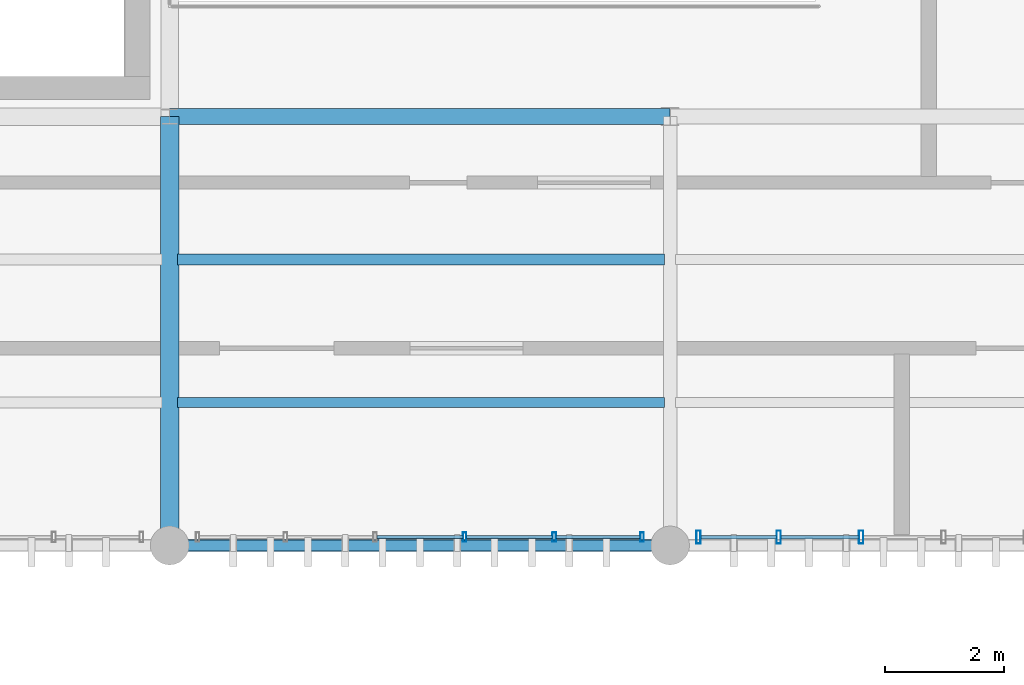
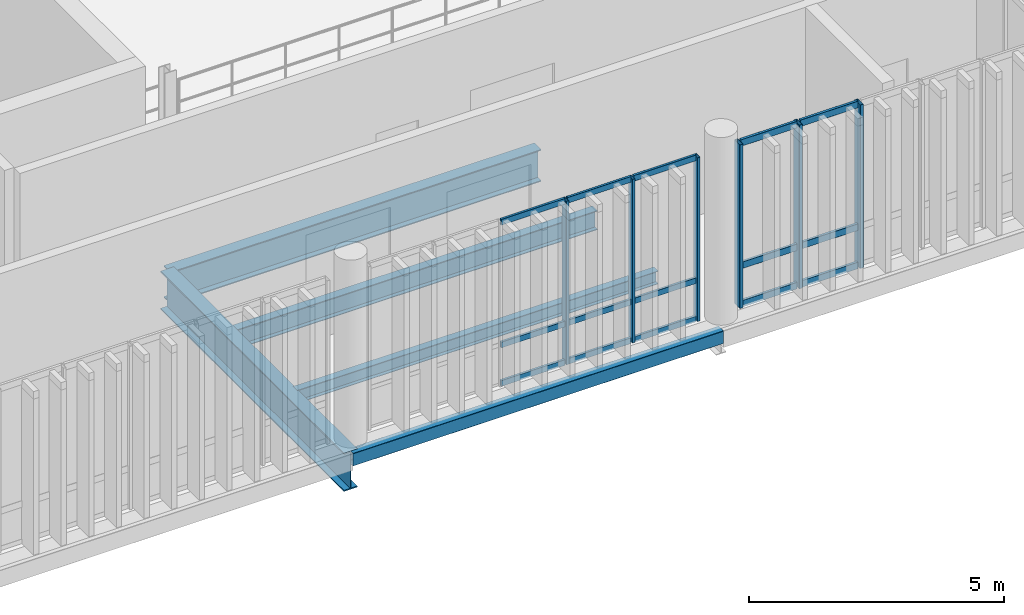
# One storey, part 25 of 66: 21 members, 5 beams, 2 elements without a shape of their own.
"""IFC4 building model written with IfcOpenShell, lengths in metres."""

from ifc_helpers import new_model, si_unit, direction, frame, origin_with_axes, origin_2d_with_axis, place, context, subcontext, project, spatial, hollow_rectangle, i_section, extrude, material, material_profile, profile_set, type_object, element, aggregate, save


model = new_model("IFC4")

# Units and contexts
model_context = context("Model", 3, precision=1e-05, world=origin_with_axes(), true_north=direction((0.0, 1.0)))
body_context = subcontext(model_context, "Body", "Model", "MODEL_VIEW")
ifc_project = project(units=[si_unit("LENGTHUNIT", "METRE"), si_unit("AREAUNIT", "SQUARE_METRE"), si_unit("VOLUMEUNIT", "CUBIC_METRE"), si_unit("PLANEANGLEUNIT", "RADIAN"), si_unit("MASSUNIT", "GRAM", prefix="KILO"), si_unit("THERMODYNAMICTEMPERATUREUNIT", "KELVIN")], contexts=[model_context])

# Site, building, storey
site_placement = place(None, origin_with_axes())
site = spatial("IfcSite", under=ifc_project, at=site_placement, CompositionType="ELEMENT")
building_placement = place(site_placement, origin_with_axes())
building = spatial("IfcBuilding", under=site, at=building_placement, Name="Montbau Bow Law Courts", CompositionType="ELEMENT")
storey_placement = place(building_placement, frame((0.0, 0.0, 34.5), z_axis=(0.0, 0.0, 1.0), x_axis=(1.0, 0.0, 0.0)))
storey = spatial("IfcBuildingStorey", under=building, at=storey_placement, Name="L07", CompositionType="ELEMENT", Elevation=34.5)

# Beams
ifc_material_1 = material(Name="Steel CSA G40.21 Grade 350W (350 MPa)", Category="steel")
ifc_material_profile_1 = material_profile(ifc_material_1, i_section(OverallWidth=0.306, OverallDepth=0.919, WebThickness=0.0173, FlangeThickness=0.0279, at=origin_2d_with_axis()), Name="W920X253", Category="Main", Priority=0)
ifc_profile_set_1 = profile_set([ifc_material_profile_1], Name="Steel CSA G40.21 Grade 350W (350 MPa)")
beam_type_1 = type_object("IfcBeamType", Name="B-FLR-01", PredefinedType="BEAM", material=ifc_profile_set_1)
beam_1_placement = place(None, frame((88.8, 39.0, 33.741), z_axis=(0.0, 1.0, 0.0), x_axis=(-1.0, 0.0, 0.0)))
element("IfcBeam", 1, at=beam_1_placement, inside=storey, type_object=beam_type_1, Name="BM-L07-S1053:bm2_1056", PredefinedType="BEAM", context=body_context, shape_type="SweptSolid", body=[
    extrude(i_section(OverallWidth=0.306, OverallDepth=0.919, WebThickness=0.0173, FlangeThickness=0.0279, at=origin_2d_with_axis()), origin_with_axes(), (0.0, 0.0, 1.0), 7.2),
])
ifc_material_profile_2 = material_profile(ifc_material_1, i_section(OverallWidth=0.267, OverallDepth=0.766, WebThickness=0.0149, FlangeThickness=0.0236, at=origin_2d_with_axis()), Name="W760X185", Category="Main", Priority=0)
ifc_profile_set_2 = profile_set([ifc_material_profile_2], Name="Steel CSA G40.21 Grade 350W (350 MPa)")
beam_type_2 = type_object("IfcBeamType", Name="B-FLR-03", PredefinedType="BEAM", material=ifc_profile_set_2)
beam_2_placement = place(None, frame((88.8, 46.2, 33.817), z_axis=(1.0, 0.0, 0.0), x_axis=(0.0, 1.0, 0.0)))
element("IfcBeam", 2, at=beam_2_placement, inside=storey, type_object=beam_type_2, Name="BM-L07-S1028:bm2_1031", PredefinedType="BEAM", context=body_context, shape_type="SweptSolid", body=[
    extrude(i_section(OverallWidth=0.267, OverallDepth=0.766, WebThickness=0.0149, FlangeThickness=0.0236, at=origin_2d_with_axis()), origin_with_axes(), (0.0, 0.0, 1.0), 8.4),
])
ifc_material_profile_3 = material_profile(ifc_material_1, i_section(OverallWidth=0.191, OverallDepth=0.46, WebThickness=0.0099, FlangeThickness=0.016, at=origin_2d_with_axis()), Name="W460X82", Category="Main", Priority=0)
ifc_profile_set_3 = profile_set([ifc_material_profile_3], Name="Steel CSA G40.21 Grade 350W (350 MPa)")
beam_type_3 = type_object("IfcBeamType", Name="B-JST-01", PredefinedType="JOIST", material=ifc_profile_set_3)
beam_3_placement = place(None, frame((88.929, 43.8, 33.97), z_axis=(1.0, 0.0, 0.0), x_axis=(0.0, 1.0, 0.0)))
element("IfcBeam", 3, at=beam_3_placement, inside=storey, type_object=beam_type_3, Name="JST-L07-S0540:jst2_0540", PredefinedType="JOIST", context=body_context, shape_type="SweptSolid", body=[
    extrude(i_section(OverallWidth=0.191, OverallDepth=0.46, WebThickness=0.0099, FlangeThickness=0.016, at=origin_2d_with_axis()), origin_with_axes(), (0.0, 0.0, 1.0), 8.18),
])
ifc_material_profile_4 = material_profile(ifc_material_1, i_section(OverallWidth=0.166, OverallDepth=0.313, WebThickness=0.0066, FlangeThickness=0.0112, at=origin_2d_with_axis()), Name="W310X45", Category="Main", Priority=0)
ifc_profile_set_4 = profile_set([ifc_material_profile_4], Name="Steel CSA G40.21 Grade 350W (350 MPa)")
beam_type_4 = type_object("IfcBeamType", Name="B-JST-04", PredefinedType="JOIST", material=ifc_profile_set_4)
beam_4_placement = place(None, frame((88.929, 41.4, 34.044), z_axis=(1.0, 0.0, 0.0), x_axis=(0.0, 1.0, 0.0)))
element("IfcBeam", 4, at=beam_4_placement, inside=storey, type_object=beam_type_4, Name="JST-L07-S0539:jst2_0539", PredefinedType="JOIST", context=body_context, shape_type="SweptSolid", body=[
    extrude(i_section(OverallWidth=0.166, OverallDepth=0.313, WebThickness=0.0066, FlangeThickness=0.0112, at=origin_2d_with_axis()), origin_with_axes(), (0.0, 0.0, 1.0), 8.18),
])
ifc_material_2 = material(Name="Steel CSA G40.21 Grade 350WT (350 MPa)", Category="steel")
ifc_material_profile_5 = material_profile(ifc_material_2, hollow_rectangle(XDim=0.203, YDim=0.305, WallThickness=0.0127, InnerFilletRadius=0.0254, OuterFilletRadius=0.0127, at=origin_2d_with_axis()), Name="HSS305X203X13", Category="Main", Priority=0)
ifc_profile_set_5 = profile_set([ifc_material_profile_5], Name="Steel CSA G40.21 Grade 350WT (350 MPa)")
beam_type_5 = type_object("IfcBeamType", Name="B-SPN-02", PredefinedType="SPANDREL", material=ifc_profile_set_5)
beam_5_placement = place(None, frame((88.8, 39.0, 34.047), z_axis=(1.0, 0.0, 0.0), x_axis=(0.0, 1.0, 0.0)))
element("IfcBeam", 5, at=beam_5_placement, inside=storey, type_object=beam_type_5, Name="SPN-L07-S1022:bm2_1025", PredefinedType="SPANDREL", context=body_context, shape_type="SweptSolid", body=[
    extrude(hollow_rectangle(XDim=0.203, YDim=0.305, WallThickness=0.0127, InnerFilletRadius=0.0254, OuterFilletRadius=0.0127, at=origin_2d_with_axis()), origin_with_axes(), (0.0, 0.0, 1.0), 8.4),
])

# Curtain wall, members
ifc_material_3 = material(Name="Thermally Broken Extruded Aluminium AA 6063-T6", Category="aluminium")
curtain_wall_type = type_object("IfcCurtainWallType", Name="CW-CRM-02", PredefinedType="NOTDEFINED", material=ifc_material_3)
curtain_wall_1_placement = place(None, frame((97.64, 39.14, 34.5), z_axis=(0.0, 0.0, 1.0), x_axis=(1.0, 0.0, 0.0)))
curtain_wall_1 = element("IfcCurtainWall", 6, at=curtain_wall_1_placement, inside=storey, type_object=curtain_wall_type, Name="CW-L07-246:cw_0246", PredefinedType="NOTDEFINED")
ifc_material_profile_6 = material_profile(ifc_material_3, hollow_rectangle(XDim=0.075, YDim=0.22, WallThickness=0.005, InnerFilletRadius=0.01, OuterFilletRadius=0.005, at=origin_2d_with_axis()), Name="CWM-220X75", Category="Main", Priority=0)
ifc_profile_set_6 = profile_set([ifc_material_profile_6], Name="Thermally Broken Extruded Aluminium AA 6063-T6")
member_type_1 = type_object("IfcMemberType", Name="M-MUL-01", PredefinedType="MULLION", material=ifc_profile_set_6)
member_1_placement = place(None, frame((97.677, 39.14, 34.5), z_axis=(0.0, 0.0, 1.0), x_axis=(1.0, 0.0, 0.0)))
member_1 = element("IfcMember", 7, at=member_1_placement, type_object=member_type_1, Name="CW-L07-246-M01:cw_0246_M01", PredefinedType="MULLION", context=body_context, shape_type="SweptSolid", body=[
    extrude(hollow_rectangle(XDim=0.075, YDim=0.22, WallThickness=0.005, InnerFilletRadius=0.01, OuterFilletRadius=0.005, at=origin_2d_with_axis()), origin_with_axes(), (0.0, 0.0, 1.0), 3.92),
])
member_2_placement = place(None, frame((99.024, 39.14, 34.5), z_axis=(0.0, 0.0, 1.0), x_axis=(1.0, 0.0, 0.0)))
member_2 = element("IfcMember", 8, at=member_2_placement, type_object=member_type_1, Name="CW-L07-246-M02:cw_0246_M02", PredefinedType="MULLION", context=body_context, shape_type="SweptSolid", body=[
    extrude(hollow_rectangle(XDim=0.075, YDim=0.22, WallThickness=0.005, InnerFilletRadius=0.01, OuterFilletRadius=0.005, at=origin_2d_with_axis()), origin_with_axes(), (0.0, 0.0, 1.0), 3.92),
])
member_3_placement = place(None, frame((100.408, 39.14, 34.5), z_axis=(0.0, 0.0, 1.0), x_axis=(1.0, 0.0, 0.0)))
member_3 = element("IfcMember", 9, at=member_3_placement, type_object=member_type_1, Name="CW-L07-246-M03:cw_0246_M03", PredefinedType="MULLION", context=body_context, shape_type="SweptSolid", body=[
    extrude(hollow_rectangle(XDim=0.075, YDim=0.22, WallThickness=0.005, InnerFilletRadius=0.01, OuterFilletRadius=0.005, at=origin_2d_with_axis()), origin_with_axes(), (0.0, 0.0, 1.0), 3.92),
])

curtain_wall_2_placement = place(None, frame((89.24, 39.14, 34.5), z_axis=(0.0, 0.0, 1.0), x_axis=(1.0, 0.0, 0.0)))
curtain_wall_2 = element("IfcCurtainWall", 10, at=curtain_wall_2_placement, inside=storey, type_object=curtain_wall_type, Name="CW-L07-245:cw_0245", PredefinedType="NOTDEFINED")
ifc_material_profile_7 = material_profile(ifc_material_3, hollow_rectangle(XDim=0.06, YDim=0.16, WallThickness=0.004, InnerFilletRadius=0.008, OuterFilletRadius=0.004, at=origin_2d_with_axis()), Name="CWM-160X60", Category="Main", Priority=0)
ifc_profile_set_7 = profile_set([ifc_material_profile_7], Name="Thermally Broken Extruded Aluminium AA 6063-T6")
member_type_2 = type_object("IfcMemberType", Name="M-MUL-03", PredefinedType="MULLION", material=ifc_profile_set_7)
member_4_placement = place(None, frame((93.752, 39.14, 34.5), z_axis=(0.0, 0.0, 1.0), x_axis=(1.0, 0.0, 0.0)))
member_4 = element("IfcMember", 11, at=member_4_placement, type_object=member_type_2, Name="CW-L07-245-M04:cw_0245_M04", PredefinedType="MULLION", context=body_context, shape_type="SweptSolid", body=[
    extrude(hollow_rectangle(XDim=0.06, YDim=0.16, WallThickness=0.004, InnerFilletRadius=0.008, OuterFilletRadius=0.004, at=origin_2d_with_axis()), origin_with_axes(), (0.0, 0.0, 1.0), 3.92),
])
member_5_placement = place(None, frame((95.256, 39.14, 34.5), z_axis=(0.0, 0.0, 1.0), x_axis=(1.0, 0.0, 0.0)))
member_5 = element("IfcMember", 12, at=member_5_placement, type_object=member_type_2, Name="CW-L07-245-M05:cw_0245_M05", PredefinedType="MULLION", context=body_context, shape_type="SweptSolid", body=[
    extrude(hollow_rectangle(XDim=0.06, YDim=0.16, WallThickness=0.004, InnerFilletRadius=0.008, OuterFilletRadius=0.004, at=origin_2d_with_axis()), origin_with_axes(), (0.0, 0.0, 1.0), 3.92),
])
member_6_placement = place(None, frame((96.73, 39.14, 34.5), z_axis=(0.0, 0.0, 1.0), x_axis=(1.0, 0.0, 0.0)))
member_6 = element("IfcMember", 13, at=member_6_placement, type_object=member_type_2, Name="CW-L07-245-M06:cw_0245_M06", PredefinedType="MULLION", context=body_context, shape_type="SweptSolid", body=[
    extrude(hollow_rectangle(XDim=0.06, YDim=0.16, WallThickness=0.004, InnerFilletRadius=0.008, OuterFilletRadius=0.004, at=origin_2d_with_axis()), origin_with_axes(), (0.0, 0.0, 1.0), 3.92),
])

# Member
ifc_material_profile_8 = material_profile(ifc_material_3, hollow_rectangle(XDim=0.06, YDim=0.16, WallThickness=0.004, InnerFilletRadius=0.008, OuterFilletRadius=0.004, at=origin_2d_with_axis()), Name="CWT-160X60", Category="Main", Priority=0)
ifc_profile_set_8 = profile_set([ifc_material_profile_8], Name="Thermally Broken Extruded Aluminium AA 6063-T6")
member_type_3 = type_object("IfcMemberType", Name="M-TRN-01", PredefinedType="USERDEFINED", material=ifc_profile_set_8)
member_7_placement = place(None, frame((97.716, 39.14, 34.53), z_axis=(1.0, 0.0, 0.0), x_axis=(0.0, 1.0, 0.0)))
member_7 = element("IfcMember", 14, at=member_7_placement, type_object=member_type_3, Name="CW-L07-246-T01-1:cw_0246_T01_1", ObjectType="TRANSOM", PredefinedType="USERDEFINED", context=body_context, shape_type="SweptSolid", body=[
    extrude(hollow_rectangle(XDim=0.06, YDim=0.16, WallThickness=0.004, InnerFilletRadius=0.008, OuterFilletRadius=0.004, at=origin_2d_with_axis()), origin_with_axes(), (0.0, 0.0, 1.0), 1.268),
])

member_8_placement = place(None, frame((97.716, 39.14, 35.45), z_axis=(1.0, 0.0, 0.0), x_axis=(0.0, 1.0, 0.0)))
member_8 = element("IfcMember", 15, at=member_8_placement, type_object=member_type_3, Name="CW-L07-246-T01-2:cw_0246_T01_2", ObjectType="TRANSOM", PredefinedType="USERDEFINED", context=body_context, shape_type="SweptSolid", body=[
    extrude(hollow_rectangle(XDim=0.06, YDim=0.16, WallThickness=0.004, InnerFilletRadius=0.008, OuterFilletRadius=0.004, at=origin_2d_with_axis()), origin_with_axes(), (0.0, 0.0, 1.0), 1.268),
])

member_9_placement = place(None, frame((97.716, 39.14, 38.39), z_axis=(1.0, 0.0, 0.0), x_axis=(0.0, 1.0, 0.0)))
member_9 = element("IfcMember", 16, at=member_9_placement, type_object=member_type_3, Name="CW-L07-246-T01-3:cw_0246_T01_3", ObjectType="TRANSOM", PredefinedType="USERDEFINED", context=body_context, shape_type="SweptSolid", body=[
    extrude(hollow_rectangle(XDim=0.06, YDim=0.16, WallThickness=0.004, InnerFilletRadius=0.008, OuterFilletRadius=0.004, at=origin_2d_with_axis()), origin_with_axes(), (0.0, 0.0, 1.0), 1.268),
])

member_10_placement = place(None, frame((99.063, 39.14, 34.53), z_axis=(1.0, 0.0, 0.0), x_axis=(0.0, 1.0, 0.0)))
member_10 = element("IfcMember", 17, at=member_10_placement, type_object=member_type_3, Name="CW-L07-246-T02-1:cw_0246_T02_1", ObjectType="TRANSOM", PredefinedType="USERDEFINED", context=body_context, shape_type="SweptSolid", body=[
    extrude(hollow_rectangle(XDim=0.06, YDim=0.16, WallThickness=0.004, InnerFilletRadius=0.008, OuterFilletRadius=0.004, at=origin_2d_with_axis()), origin_with_axes(), (0.0, 0.0, 1.0), 1.305),
])

member_11_placement = place(None, frame((99.063, 39.14, 35.45), z_axis=(1.0, 0.0, 0.0), x_axis=(0.0, 1.0, 0.0)))
member_11 = element("IfcMember", 18, at=member_11_placement, type_object=member_type_3, Name="CW-L07-246-T02-2:cw_0246_T02_2", ObjectType="TRANSOM", PredefinedType="USERDEFINED", context=body_context, shape_type="SweptSolid", body=[
    extrude(hollow_rectangle(XDim=0.06, YDim=0.16, WallThickness=0.004, InnerFilletRadius=0.008, OuterFilletRadius=0.004, at=origin_2d_with_axis()), origin_with_axes(), (0.0, 0.0, 1.0), 1.305),
])

member_12_placement = place(None, frame((99.063, 39.14, 38.39), z_axis=(1.0, 0.0, 0.0), x_axis=(0.0, 1.0, 0.0)))
member_12 = element("IfcMember", 19, at=member_12_placement, type_object=member_type_3, Name="CW-L07-246-T02-3:cw_0246_T02_3", ObjectType="TRANSOM", PredefinedType="USERDEFINED", context=body_context, shape_type="SweptSolid", body=[
    extrude(hollow_rectangle(XDim=0.06, YDim=0.16, WallThickness=0.004, InnerFilletRadius=0.008, OuterFilletRadius=0.004, at=origin_2d_with_axis()), origin_with_axes(), (0.0, 0.0, 1.0), 1.305),
])

aggregate(curtain_wall_1, [member_1, member_2, member_3, member_7, member_8, member_9, member_10, member_11, member_12])

ifc_material_profile_9 = material_profile(ifc_material_3, hollow_rectangle(XDim=0.055, YDim=0.14, WallThickness=0.004, InnerFilletRadius=0.008, OuterFilletRadius=0.004, at=origin_2d_with_axis()), Name="CWT-140X55", Category="Main", Priority=0)
ifc_profile_set_9 = profile_set([ifc_material_profile_9], Name="Thermally Broken Extruded Aluminium AA 6063-T6")
member_type_4 = type_object("IfcMemberType", Name="M-TRN-02", PredefinedType="USERDEFINED", material=ifc_profile_set_9)
member_13_placement = place(None, frame((92.28, 39.14, 34.528), z_axis=(1.0, 0.0, 0.0), x_axis=(0.0, 1.0, 0.0)))
member_13 = element("IfcMember", 20, at=member_13_placement, type_object=member_type_4, Name="CW-L07-245-T03-1:cw_0245_T03_1", ObjectType="TRANSOM", PredefinedType="USERDEFINED", context=body_context, shape_type="SweptSolid", body=[
    extrude(hollow_rectangle(XDim=0.055, YDim=0.14, WallThickness=0.004, InnerFilletRadius=0.008, OuterFilletRadius=0.004, at=origin_2d_with_axis()), origin_with_axes(), (0.0, 0.0, 1.0), 1.44),
])

member_14_placement = place(None, frame((92.28, 39.14, 35.45), z_axis=(1.0, 0.0, 0.0), x_axis=(0.0, 1.0, 0.0)))
member_14 = element("IfcMember", 21, at=member_14_placement, type_object=member_type_4, Name="CW-L07-245-T03-2:cw_0245_T03_2", ObjectType="TRANSOM", PredefinedType="USERDEFINED", context=body_context, shape_type="SweptSolid", body=[
    extrude(hollow_rectangle(XDim=0.055, YDim=0.14, WallThickness=0.004, InnerFilletRadius=0.008, OuterFilletRadius=0.004, at=origin_2d_with_axis()), origin_with_axes(), (0.0, 0.0, 1.0), 1.44),
])

member_15_placement = place(None, frame((92.28, 39.14, 38.392), z_axis=(1.0, 0.0, 0.0), x_axis=(0.0, 1.0, 0.0)))
member_15 = element("IfcMember", 22, at=member_15_placement, type_object=member_type_4, Name="CW-L07-245-T03-3:cw_0245_T03_3", ObjectType="TRANSOM", PredefinedType="USERDEFINED", context=body_context, shape_type="SweptSolid", body=[
    extrude(hollow_rectangle(XDim=0.055, YDim=0.14, WallThickness=0.004, InnerFilletRadius=0.008, OuterFilletRadius=0.004, at=origin_2d_with_axis()), origin_with_axes(), (0.0, 0.0, 1.0), 1.44),
])

member_16_placement = place(None, frame((93.784, 39.14, 34.528), z_axis=(1.0, 0.0, 0.0), x_axis=(0.0, 1.0, 0.0)))
member_16 = element("IfcMember", 23, at=member_16_placement, type_object=member_type_4, Name="CW-L07-245-T04-1:cw_0245_T04_1", ObjectType="TRANSOM", PredefinedType="USERDEFINED", context=body_context, shape_type="SweptSolid", body=[
    extrude(hollow_rectangle(XDim=0.055, YDim=0.14, WallThickness=0.004, InnerFilletRadius=0.008, OuterFilletRadius=0.004, at=origin_2d_with_axis()), origin_with_axes(), (0.0, 0.0, 1.0), 1.44),
])

member_17_placement = place(None, frame((93.784, 39.14, 35.45), z_axis=(1.0, 0.0, 0.0), x_axis=(0.0, 1.0, 0.0)))
member_17 = element("IfcMember", 24, at=member_17_placement, type_object=member_type_4, Name="CW-L07-245-T04-2:cw_0245_T04_2", ObjectType="TRANSOM", PredefinedType="USERDEFINED", context=body_context, shape_type="SweptSolid", body=[
    extrude(hollow_rectangle(XDim=0.055, YDim=0.14, WallThickness=0.004, InnerFilletRadius=0.008, OuterFilletRadius=0.004, at=origin_2d_with_axis()), origin_with_axes(), (0.0, 0.0, 1.0), 1.44),
])

member_18_placement = place(None, frame((93.784, 39.14, 38.392), z_axis=(1.0, 0.0, 0.0), x_axis=(0.0, 1.0, 0.0)))
member_18 = element("IfcMember", 25, at=member_18_placement, type_object=member_type_4, Name="CW-L07-245-T04-3:cw_0245_T04_3", ObjectType="TRANSOM", PredefinedType="USERDEFINED", context=body_context, shape_type="SweptSolid", body=[
    extrude(hollow_rectangle(XDim=0.055, YDim=0.14, WallThickness=0.004, InnerFilletRadius=0.008, OuterFilletRadius=0.004, at=origin_2d_with_axis()), origin_with_axes(), (0.0, 0.0, 1.0), 1.44),
])

member_19_placement = place(None, frame((95.288, 39.14, 34.528), z_axis=(1.0, 0.0, 0.0), x_axis=(0.0, 1.0, 0.0)))
member_19 = element("IfcMember", 26, at=member_19_placement, type_object=member_type_4, Name="CW-L07-245-T05-1:cw_0245_T05_1", ObjectType="TRANSOM", PredefinedType="USERDEFINED", context=body_context, shape_type="SweptSolid", body=[
    extrude(hollow_rectangle(XDim=0.055, YDim=0.14, WallThickness=0.004, InnerFilletRadius=0.008, OuterFilletRadius=0.004, at=origin_2d_with_axis()), origin_with_axes(), (0.0, 0.0, 1.0), 1.41),
])

member_20_placement = place(None, frame((95.288, 39.14, 35.45), z_axis=(1.0, 0.0, 0.0), x_axis=(0.0, 1.0, 0.0)))
member_20 = element("IfcMember", 27, at=member_20_placement, type_object=member_type_4, Name="CW-L07-245-T05-2:cw_0245_T05_2", ObjectType="TRANSOM", PredefinedType="USERDEFINED", context=body_context, shape_type="SweptSolid", body=[
    extrude(hollow_rectangle(XDim=0.055, YDim=0.14, WallThickness=0.004, InnerFilletRadius=0.008, OuterFilletRadius=0.004, at=origin_2d_with_axis()), origin_with_axes(), (0.0, 0.0, 1.0), 1.41),
])

member_21_placement = place(None, frame((95.288, 39.14, 38.392), z_axis=(1.0, 0.0, 0.0), x_axis=(0.0, 1.0, 0.0)))
member_21 = element("IfcMember", 28, at=member_21_placement, type_object=member_type_4, Name="CW-L07-245-T05-3:cw_0245_T05_3", ObjectType="TRANSOM", PredefinedType="USERDEFINED", context=body_context, shape_type="SweptSolid", body=[
    extrude(hollow_rectangle(XDim=0.055, YDim=0.14, WallThickness=0.004, InnerFilletRadius=0.008, OuterFilletRadius=0.004, at=origin_2d_with_axis()), origin_with_axes(), (0.0, 0.0, 1.0), 1.41),
])

aggregate(curtain_wall_2, [member_4, member_5, member_6, member_13, member_14, member_15, member_16, member_17, member_18, member_19, member_20, member_21])

save(model, "model.ifc")
